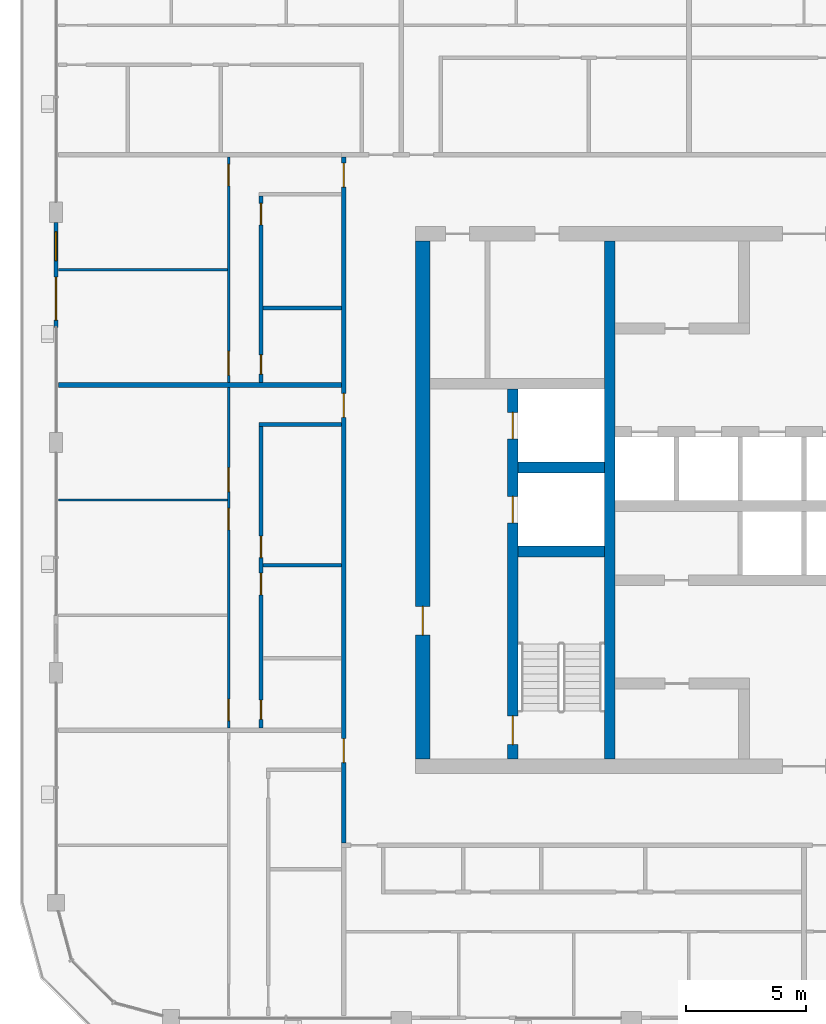
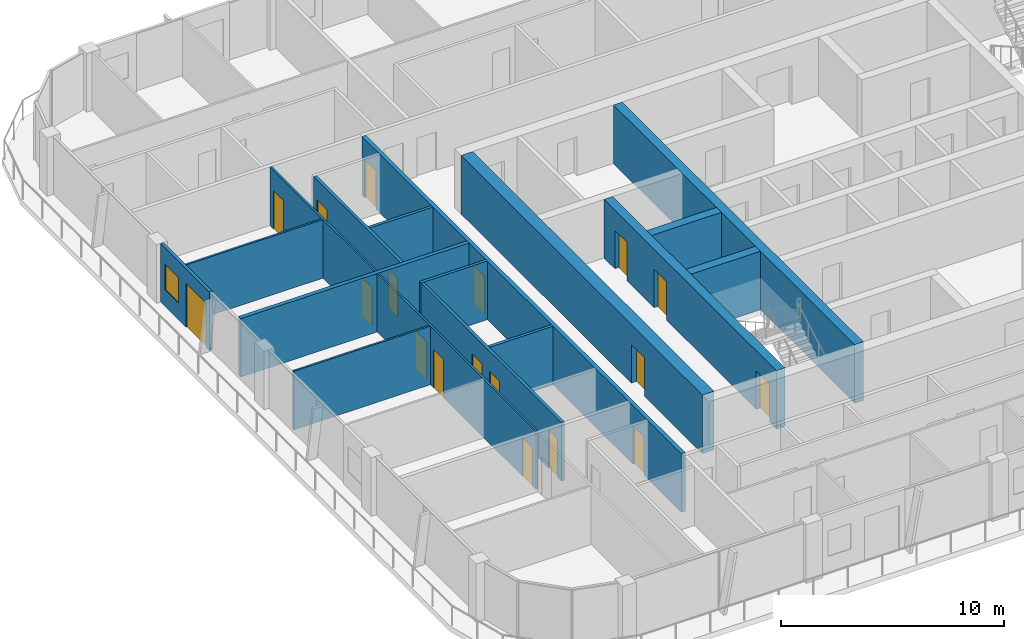
# One storey, part 10 of 21: 18 doors, 17 walls, 1 window, 19 openings.
"""IFC4 building model written with IfcOpenShell, lengths in metres."""

from ifc_helpers import new_model, si_unit, direction, frame, frame_2d, origin, place, context, subcontext, project, spatial, rectangle, extrude, material, layer, layer_set, type_object, element, fill, save


model = new_model("IFC4")

# Units and contexts
model_context = context("Model", 3, precision=1e-05, world=origin(), true_north=direction((0.0, 1.0)))
body_context = subcontext(model_context, "Body", "Model", "MODEL_VIEW")
ifc_project = project(units=[si_unit("LENGTHUNIT", "METRE"), si_unit("AREAUNIT", "SQUARE_METRE"), si_unit("VOLUMEUNIT", "CUBIC_METRE"), si_unit("PLANEANGLEUNIT", "RADIAN"), si_unit("MASSUNIT", "GRAM", prefix="KILO")], contexts=[model_context])

# Site, building, storey
site_placement = place(None, origin())
site = spatial("IfcSite", under=ifc_project, at=site_placement, CompositionType="ELEMENT")
building_placement = place(site_placement, origin())
building = spatial("IfcBuilding", under=site, at=building_placement, Name="Madar Terraces", CompositionType="ELEMENT")
storey_placement = place(building_placement, frame((0.0, 0.0, 242.199951171875)))
storey = spatial("IfcBuildingStorey", under=building, at=storey_placement, Name="L63", CompositionType="ELEMENT", Elevation=242.199951171875)

# Wall, openings, doors
ifc_material_1 = material(Name="Concrete C55/67", Category="concrete")
ifc_layer_1 = layer(ifc_material_1, 0.449951171875)
ifc_layer_set_1 = layer_set([ifc_layer_1], Name="Concrete C55/67 (CIW5 RC wall 450)")
wall_type_1 = type_object("IfcWallType", Name="CIW5 RC wall 450", PredefinedType="SHEAR", material=ifc_layer_set_1)
wall_1_placement = place(storey_placement, frame((19.050048828125, 15.60009765625, 0.0), z_axis=(0.0, 0.0, 1.0), x_axis=(0.0, 1.0, 0.0)))
wall_1 = element("IfcWall", 1, at=wall_1_placement, inside=storey, type_object=wall_type_1, Name="CORE SHAFT WALL", PredefinedType="SHEAR", context=body_context, shape_type="SweptSolid", body=[
    extrude(rectangle(XDim=15.4248046875, YDim=0.449951171875, at=frame_2d((7.71240234375, 0.0))), origin(), (0.0, 0.0, 1.0), 3.199951171875),
])
opening_1_placement = place(wall_1_placement, frame((9.85009765625, 0.0, 0.0)))
opening_1 = element("IfcOpeningElement", 2, at=opening_1_placement, cuts=wall_1, Name="Opening LD", PredefinedType="OPENING", context=body_context, shape_type="SweptSolid", body=[
    extrude(rectangle(XDim=1.10009765625, YDim=2.10009765625, at=frame_2d((0.550048828125, 1.050048828125))), frame((0.0, 0.23486328125, 0.0), z_axis=(0.0, -1.0, 0.0), x_axis=(1.0, 0.0, 0.0)), (0.0, 0.0, 1.0), 0.469970703125),
])
opening_2_placement = place(wall_1_placement, frame((13.35009765625, 0.0, 0.0)))
opening_2 = element("IfcOpeningElement", 3, at=opening_2_placement, cuts=wall_1, Name="Opening LD", PredefinedType="OPENING", context=body_context, shape_type="SweptSolid", body=[
    extrude(rectangle(XDim=1.10009765625, YDim=2.10009765625, at=frame_2d((0.550048828125, 1.050048828125))), frame((0.0, 0.23486328125, 0.0), z_axis=(0.0, -1.0, 0.0), x_axis=(1.0, 0.0, 0.0)), (0.0, 0.0, 1.0), 0.469970703125),
])
opening_3_placement = place(wall_1_placement, frame((0.60009765625, 0.0, 0.0)))
opening_3 = element("IfcOpeningElement", 4, at=opening_3_placement, cuts=wall_1, Name="Opening SD1", PredefinedType="OPENING", context=body_context, shape_type="SweptSolid", body=[
    extrude(rectangle(XDim=1.199951171875, YDim=2.10009765625, at=frame_2d((0.60009765625, 1.050048828125))), frame((0.0, 0.23486328125, 0.0), z_axis=(0.0, -1.0, 0.0), x_axis=(1.0, 0.0, 0.0)), (0.0, 0.0, 1.0), 0.469970703125),
])
ifc_material_2 = material(Name="Stainless steel panel", Category="steel")
door_type_1 = type_object("IfcDoorType", Name="Lift landing door 1100 x 2100", OperationType="DOUBLE_DOOR_SLIDING", PredefinedType="DOOR", material=ifc_material_2)
door_1_placement = place(opening_1_placement, origin())
door_1 = element("IfcDoor", 5, at=door_1_placement, inside=storey, type_object=door_type_1, Name="LIFT LANDING DOOR", OperationType="DOUBLE_DOOR_SLIDING", OverallHeight=2.10009765625, OverallWidth=1.10009765625, PredefinedType="DOOR", context=body_context, shape_type="SweptSolid", body=[
    extrude(rectangle(XDim=1.10009765625, YDim=2.10009765625, at=frame_2d((0.550048828125, 1.050048828125))), frame((0.0, 0.02490234375, 0.0), z_axis=(0.0, -1.0, 0.0), x_axis=(1.0, 0.0, 0.0)), (0.0, 0.0, 1.0), 0.050048828125),
])
fill(opening_1, door_1)
door_2_placement = place(opening_2_placement, origin())
door_2 = element("IfcDoor", 6, at=door_2_placement, inside=storey, type_object=door_type_1, Name="LIFT LANDING DOOR", OperationType="DOUBLE_DOOR_SLIDING", OverallHeight=2.10009765625, OverallWidth=1.10009765625, PredefinedType="DOOR", context=body_context, shape_type="SweptSolid", body=[
    extrude(rectangle(XDim=1.10009765625, YDim=2.10009765625, at=frame_2d((0.550048828125, 1.050048828125))), frame((0.0, 0.02490234375, 0.0), z_axis=(0.0, -1.0, 0.0), x_axis=(1.0, 0.0, 0.0)), (0.0, 0.0, 1.0), 0.050048828125),
])
fill(opening_2, door_2)
ifc_material_3 = material(Name="Steel door leaf", Category="steel")
door_type_2 = type_object("IfcDoorType", Name="Stair door 1200 x 2100", OperationType="NOTDEFINED", PredefinedType="DOOR", material=ifc_material_3)
door_3_placement = place(opening_3_placement, frame((1.199951171875, 0.0, 0.0), z_axis=(0.0, 0.0, 1.0), x_axis=(-1.0, 0.0, 0.0)))
door_3 = element("IfcDoor", 7, at=door_3_placement, inside=storey, type_object=door_type_2, Name="STAIR DOOR", OperationType="SINGLE_SWING_LEFT", OverallHeight=2.10009765625, OverallWidth=1.199951171875, PredefinedType="DOOR", context=body_context, shape_type="SweptSolid", body=[
    extrude(rectangle(XDim=1.199951171875, YDim=2.10009765625, at=frame_2d((0.60009765625, 1.050048828125))), frame((0.0, 0.02490234375, 0.0), z_axis=(0.0, -1.0, 0.0), x_axis=(1.0, 0.0, 0.0)), (0.0, 0.0, 1.0), 0.050048828125),
])
fill(opening_3, door_3)

# Walls
wall_2_placement = place(storey_placement, frame((23.10009765625, 15.60009765625, 0.0), z_axis=(0.0, 0.0, 1.0), x_axis=(0.0, 1.0, 0.0)))
element("IfcWall", 8, at=wall_2_placement, inside=storey, type_object=wall_type_1, Name="CORE SHAFT WALL", PredefinedType="SHEAR", context=body_context, shape_type="SweptSolid", body=[
    extrude(rectangle(XDim=21.599853515625, YDim=0.449951171875, at=frame_2d((10.7998046875, 0.0))), origin(), (0.0, 0.0, 1.0), 3.199951171875),
])
for number, where, z_axis, x_axis, name in (
    (9, (19.27490234375, 24.25, 0.0), (0.0, 0.0, 1.0), (1.0, 0.0, 0.0), "CORE SHAFT WALL"),
    (10, (19.27490234375, 27.75, 0.0), (0.0, 0.0, 1.0), (1.0, 0.0, 0.0), "CORE SHAFT WALL"),
):
    element("IfcWall", number, at=place(storey_placement, frame(where, z_axis=z_axis, x_axis=x_axis)), inside=storey, type_object=wall_type_1, Name=name, PredefinedType="SHEAR", context=body_context, shape_type="SweptSolid", body=[
        extrude(rectangle(XDim=3.60009765625, YDim=0.449951171875, at=frame_2d((1.800048828125, 0.0))), origin(), (0.0, 0.0, 1.0), 3.199951171875),
    ])

# Wall, opening, door
ifc_material_4 = material(Name="Concrete C55/67", Category="concrete")
ifc_layer_2 = layer(ifc_material_4, 0.60009765625)
ifc_layer_set_2 = layer_set([ifc_layer_2], Name="Concrete C55/67 (CRW5 RC wall 600)")
wall_type_2 = type_object("IfcWallType", Name="CRW5 RC wall 600", PredefinedType="SHEAR", material=ifc_layer_set_2)
wall_3_placement = place(storey_placement, frame((15.300048828125, 15.60009765625, 0.0), z_axis=(0.0, 0.0, 1.0), x_axis=(0.0, 1.0, 0.0)))
wall_3 = element("IfcWall", 11, at=wall_3_placement, inside=storey, type_object=wall_type_2, Name="CORE OUTER WALL", PredefinedType="SHEAR", context=body_context, shape_type="SweptSolid", body=[
    extrude(rectangle(XDim=21.599853515625, YDim=0.60009765625, at=frame_2d((10.7998046875, 0.0))), origin(), (0.0, 0.0, 1.0), 3.199951171875),
])
opening_4_placement = place(wall_3_placement, frame((5.159912109375, 0.0, 0.0)))
opening_4 = element("IfcOpeningElement", 12, at=opening_4_placement, cuts=wall_3, Name="Opening SD1", PredefinedType="OPENING", context=body_context, shape_type="SweptSolid", body=[
    extrude(rectangle(XDim=1.199951171875, YDim=2.10009765625, at=frame_2d((0.60009765625, 1.050048828125))), frame((0.0, 0.31005859375, 0.0), z_axis=(0.0, -1.0, 0.0), x_axis=(1.0, 0.0, 0.0)), (0.0, 0.0, 1.0), 0.6201171875),
])
door_4_placement = place(opening_4_placement, frame((1.199951171875, 0.0, 0.0), z_axis=(0.0, 0.0, 1.0), x_axis=(-1.0, 0.0, 0.0)))
door_4 = element("IfcDoor", 13, at=door_4_placement, inside=storey, type_object=door_type_2, Name="STAIR DOOR", OperationType="SINGLE_SWING_RIGHT", OverallHeight=2.10009765625, OverallWidth=1.199951171875, PredefinedType="DOOR", context=body_context, shape_type="SweptSolid", body=[
    extrude(rectangle(XDim=1.199951171875, YDim=2.10009765625, at=frame_2d((0.60009765625, 1.050048828125))), frame((0.0, 0.02490234375, 0.0), z_axis=(0.0, -1.0, 0.0), x_axis=(1.0, 0.0, 0.0)), (0.0, 0.0, 1.0), 0.050048828125),
])
fill(opening_4, door_4)

# Wall, openings, door, window
ifc_material_5 = material(Name="Aluminium composite panel, black, over insulated backing", Category="aluminium")
ifc_layer_3 = layer(ifc_material_5, 0.14990234375)
ifc_layer_set_3 = layer_set([ifc_layer_3], Name="Facade bay panel 150")
wall_type_3 = type_object("IfcWallType", Name="Facade bay panel 150", PredefinedType="SOLIDWALL", material=ifc_layer_set_3)
wall_4_placement = place(storey_placement, frame((0.0, 37.97509765625, 0.0), z_axis=(0.0, 0.0, 1.0), x_axis=(0.0, -1.0, 0.0)))
wall_4 = element("IfcWall", 14, at=wall_4_placement, inside=storey, type_object=wall_type_3, Name="Facade bay panel", PredefinedType="SOLIDWALL", context=body_context, shape_type="SweptSolid", body=[
    extrude(rectangle(XDim=4.375, YDim=0.14990234375, at=frame_2d((2.1875, 0.0))), origin(), (0.0, 0.0, 1.0), 3.199951171875),
])
opening_5_placement = place(wall_4_placement, frame((0.387451171875, 0.0, 0.89990234375)))
opening_5 = element("IfcOpeningElement", 15, at=opening_5_placement, cuts=wall_4, Name="Opening W1", PredefinedType="OPENING", context=body_context, shape_type="SweptSolid", body=[
    extrude(rectangle(XDim=1.199951171875, YDim=1.39990234375, at=frame_2d((0.60009765625, 0.699951171875))), frame((0.0, 0.0849609375, 0.0), z_axis=(0.0, -1.0, 0.0), x_axis=(1.0, 0.0, 0.0)), (0.0, 0.0, 1.0), 0.169921875),
])
opening_6_placement = place(wall_4_placement, frame((2.27490234375, 0.0, 0.0)))
opening_6 = element("IfcOpeningElement", 16, at=opening_6_placement, cuts=wall_4, Name="Opening ED1", PredefinedType="OPENING", context=body_context, shape_type="SweptSolid", body=[
    extrude(rectangle(XDim=1.800048828125, YDim=2.39990234375, at=frame_2d((0.89990234375, 1.199951171875))), frame((0.0, 0.0849609375, 0.0), z_axis=(0.0, -1.0, 0.0), x_axis=(1.0, 0.0, 0.0)), (0.0, 0.0, 1.0), 0.169921875),
])
ifc_material_6 = material(Name="Glass, clear, with black aluminium frame", Category="aluminium")
door_type_3 = type_object("IfcDoorType", Name="Balcony and terrace sliding door 1800 x 2400", OperationType="SLIDING_TO_LEFT", PredefinedType="DOOR", material=ifc_material_6)
door_5_placement = place(opening_6_placement, origin())
door_5 = element("IfcDoor", 17, at=door_5_placement, inside=storey, type_object=door_type_3, Name="Balcony door", OperationType="SLIDING_TO_LEFT", OverallHeight=2.39990234375, OverallWidth=1.800048828125, PredefinedType="DOOR", context=body_context, shape_type="SweptSolid", body=[
    extrude(rectangle(XDim=1.800048828125, YDim=2.39990234375, at=frame_2d((0.89990234375, 1.199951171875))), frame((0.0, 0.02490234375, 0.0), z_axis=(0.0, -1.0, 0.0), x_axis=(1.0, 0.0, 0.0)), (0.0, 0.0, 1.0), 0.050048828125),
])
fill(opening_6, door_5)
ifc_material_7 = material(Name="Glass, clear, with black aluminium frame", Category="aluminium")
window_type = type_object("IfcWindowType", Name="Vent window 1200 x 1400", PartitioningType="SINGLE_PANEL", PredefinedType="WINDOW", material=ifc_material_7)
window_placement = place(opening_5_placement, origin())
window = element("IfcWindow", 18, at=window_placement, inside=storey, type_object=window_type, Name="Operable vent window", OverallHeight=1.39990234375, OverallWidth=1.199951171875, PartitioningType="SINGLE_PANEL", PredefinedType="WINDOW", context=body_context, shape_type="SweptSolid", body=[
    extrude(rectangle(XDim=1.199951171875, YDim=1.39990234375, at=frame_2d((0.60009765625, 0.699951171875))), frame((0.0, 0.030029296875, 0.0), z_axis=(0.0, -1.0, 0.0), x_axis=(1.0, 0.0, 0.0)), (0.0, 0.0, 1.0), 0.06005859375),
])
fill(opening_5, window)

# Wall
ifc_material_8 = material(Name="Gypsum board on steel studs", Category="steel")
ifc_layer_4 = layer(ifc_material_8, 0.10009765625)
ifc_layer_set_4 = layer_set([ifc_layer_4], Name="Flat partition 100")
wall_type_4 = type_object("IfcWallType", Name="Flat partition 100", PredefinedType="PARTITIONING", material=ifc_layer_set_4)
wall_5_placement = place(storey_placement, frame((7.14990234375, 36.0, 0.0), z_axis=(0.0, 0.0, 1.0), x_axis=(-1.0, 0.0, 0.0)))
element("IfcWall", 19, at=wall_5_placement, inside=storey, type_object=wall_type_4, Name="Flat partition 100", PredefinedType="PARTITIONING", context=body_context, shape_type="SweptSolid", body=[
    extrude(rectangle(XDim=7.0498046875, YDim=0.10009765625, at=frame_2d((3.52490234375, 0.0))), origin(), (0.0, 0.0, 1.0), 3.199951171875),
])

# Wall, openings, doors
wall_6_placement = place(storey_placement, frame((7.199951171875, 31.300048828125, 0.0), z_axis=(0.0, 0.0, 1.0), x_axis=(0.0, 1.0, 0.0)))
wall_6 = element("IfcWall", 20, at=wall_6_placement, inside=storey, type_object=wall_type_4, Name="Flat partition 100", PredefinedType="PARTITIONING", context=body_context, shape_type="SweptSolid", body=[
    extrude(rectangle(XDim=9.39990234375, YDim=0.10009765625, at=frame_2d((4.699951171875, 0.0))), origin(), (0.0, 0.0, 1.0), 3.199951171875),
])
opening_7_placement = place(wall_6_placement, frame((8.199951171875, 0.0, 0.0)))
opening_7 = element("IfcOpeningElement", 21, at=opening_7_placement, cuts=wall_6, Name="Opening D2", PredefinedType="OPENING", context=body_context, shape_type="SweptSolid", body=[
    extrude(rectangle(XDim=0.89990234375, YDim=2.10009765625, at=frame_2d((0.449951171875, 1.050048828125))), frame((0.0, 0.06005859375, 0.0), z_axis=(0.0, -1.0, 0.0), x_axis=(1.0, 0.0, 0.0)), (0.0, 0.0, 1.0), 0.1201171875),
])
opening_8_placement = place(wall_6_placement, frame((0.300048828125, 0.0, 0.0)))
opening_8 = element("IfcOpeningElement", 22, at=opening_8_placement, cuts=wall_6, Name="Opening D3", PredefinedType="OPENING", context=body_context, shape_type="SweptSolid", body=[
    extrude(rectangle(XDim=1.0, YDim=2.10009765625, at=frame_2d((0.5, 1.050048828125))), frame((0.0, 0.06005859375, 0.0), z_axis=(0.0, -1.0, 0.0), x_axis=(1.0, 0.0, 0.0)), (0.0, 0.0, 1.0), 0.1201171875),
])
ifc_material_9 = material(Name="Timber door leaf", Category="wood")
door_type_4 = type_object("IfcDoorType", Name="Flat living room door 1000", OperationType="NOTDEFINED", PredefinedType="DOOR", material=ifc_material_9)
door_6_placement = place(opening_8_placement, origin())
door_6 = element("IfcDoor", 23, at=door_6_placement, inside=storey, type_object=door_type_4, Name="Flat living room door 1000", OperationType="SINGLE_SWING_LEFT", OverallHeight=2.10009765625, OverallWidth=1.0, PredefinedType="DOOR", context=body_context, shape_type="SweptSolid", body=[
    extrude(rectangle(XDim=1.0, YDim=2.10009765625, at=frame_2d((0.5, 1.050048828125))), frame((0.0, 0.02490234375, 0.0), z_axis=(0.0, -1.0, 0.0), x_axis=(1.0, 0.0, 0.0)), (0.0, 0.0, 1.0), 0.050048828125),
])
fill(opening_8, door_6)
ifc_material_10 = material(Name="Timber door leaf", Category="wood")
door_type_5 = type_object("IfcDoorType", Name="Flat room door 900", OperationType="NOTDEFINED", PredefinedType="DOOR", material=ifc_material_10)
door_7_placement = place(opening_7_placement, origin())
door_7 = element("IfcDoor", 24, at=door_7_placement, inside=storey, type_object=door_type_5, Name="Flat room door 900", OperationType="SINGLE_SWING_RIGHT", OverallHeight=2.10009765625, OverallWidth=0.89990234375, PredefinedType="DOOR", context=body_context, shape_type="SweptSolid", body=[
    extrude(rectangle(XDim=0.89990234375, YDim=2.10009765625, at=frame_2d((0.449951171875, 1.050048828125))), frame((0.0, 0.02490234375, 0.0), z_axis=(0.0, -1.0, 0.0), x_axis=(1.0, 0.0, 0.0)), (0.0, 0.0, 1.0), 0.050048828125),
])
fill(opening_7, door_7)

# Wall
wall_7_placement = place(storey_placement, frame((7.14990234375, 26.39990234375, 0.0), z_axis=(0.0, 0.0, 1.0), x_axis=(-1.0, 0.0, 0.0)))
element("IfcWall", 25, at=wall_7_placement, inside=storey, type_object=wall_type_4, Name="Flat partition 100", PredefinedType="PARTITIONING", context=body_context, shape_type="SweptSolid", body=[
    extrude(rectangle(XDim=7.0498046875, YDim=0.10009765625, at=frame_2d((3.52490234375, 0.0))), origin(), (0.0, 0.0, 1.0), 3.199951171875),
])

# Wall, openings, doors
wall_8_placement = place(storey_placement, frame((7.199951171875, 16.89990234375, 0.0), z_axis=(0.0, 0.0, 1.0), x_axis=(0.0, 1.0, 0.0)))
wall_8 = element("IfcWall", 26, at=wall_8_placement, inside=storey, type_object=wall_type_4, Name="Flat partition 100", PredefinedType="PARTITIONING", context=body_context, shape_type="SweptSolid", body=[
    extrude(rectangle(XDim=14.2001953125, YDim=0.10009765625, at=frame_2d((7.10009765625, 0.0))), origin(), (0.0, 0.0, 1.0), 3.199951171875),
])
opening_9_placement = place(wall_8_placement, frame((9.85009765625, 0.0, 0.0)))
opening_9 = element("IfcOpeningElement", 27, at=opening_9_placement, cuts=wall_8, Name="Opening D3", PredefinedType="OPENING", context=body_context, shape_type="SweptSolid", body=[
    extrude(rectangle(XDim=1.0, YDim=2.10009765625, at=frame_2d((0.5, 1.050048828125))), frame((0.0, 0.06005859375, 0.0), z_axis=(0.0, -1.0, 0.0), x_axis=(1.0, 0.0, 0.0)), (0.0, 0.0, 1.0), 0.1201171875),
])
opening_10_placement = place(wall_8_placement, frame((8.25, 0.0, 0.0)))
opening_10 = element("IfcOpeningElement", 28, at=opening_10_placement, cuts=wall_8, Name="Opening D2", PredefinedType="OPENING", context=body_context, shape_type="SweptSolid", body=[
    extrude(rectangle(XDim=0.89990234375, YDim=2.10009765625, at=frame_2d((0.449951171875, 1.050048828125))), frame((0.0, 0.06005859375, 0.0), z_axis=(0.0, -1.0, 0.0), x_axis=(1.0, 0.0, 0.0)), (0.0, 0.0, 1.0), 0.1201171875),
])
opening_11_placement = place(wall_8_placement, frame((0.300048828125, 0.0, 0.0)))
opening_11 = element("IfcOpeningElement", 29, at=opening_11_placement, cuts=wall_8, Name="Opening D2", PredefinedType="OPENING", context=body_context, shape_type="SweptSolid", body=[
    extrude(rectangle(XDim=0.89990234375, YDim=2.10009765625, at=frame_2d((0.449951171875, 1.050048828125))), frame((0.0, 0.06005859375, 0.0), z_axis=(0.0, -1.0, 0.0), x_axis=(1.0, 0.0, 0.0)), (0.0, 0.0, 1.0), 0.1201171875),
])
door_8_placement = place(opening_9_placement, origin())
door_8 = element("IfcDoor", 30, at=door_8_placement, inside=storey, type_object=door_type_4, Name="Flat living room door 1000", OperationType="SINGLE_SWING_LEFT", OverallHeight=2.10009765625, OverallWidth=1.0, PredefinedType="DOOR", context=body_context, shape_type="SweptSolid", body=[
    extrude(rectangle(XDim=1.0, YDim=2.10009765625, at=frame_2d((0.5, 1.050048828125))), frame((0.0, 0.02490234375, 0.0), z_axis=(0.0, -1.0, 0.0), x_axis=(1.0, 0.0, 0.0)), (0.0, 0.0, 1.0), 0.050048828125),
])
fill(opening_9, door_8)
door_9_placement = place(opening_10_placement, origin())
door_9 = element("IfcDoor", 31, at=door_9_placement, inside=storey, type_object=door_type_5, Name="Flat room door 900", OperationType="SINGLE_SWING_RIGHT", OverallHeight=2.10009765625, OverallWidth=0.89990234375, PredefinedType="DOOR", context=body_context, shape_type="SweptSolid", body=[
    extrude(rectangle(XDim=0.89990234375, YDim=2.10009765625, at=frame_2d((0.449951171875, 1.050048828125))), frame((0.0, 0.02490234375, 0.0), z_axis=(0.0, -1.0, 0.0), x_axis=(1.0, 0.0, 0.0)), (0.0, 0.0, 1.0), 0.050048828125),
])
fill(opening_10, door_9)
door_10_placement = place(opening_11_placement, origin())
door_10 = element("IfcDoor", 32, at=door_10_placement, inside=storey, type_object=door_type_5, Name="Flat room door 900", OperationType="SINGLE_SWING_LEFT", OverallHeight=2.10009765625, OverallWidth=0.89990234375, PredefinedType="DOOR", context=body_context, shape_type="SweptSolid", body=[
    extrude(rectangle(XDim=0.89990234375, YDim=2.10009765625, at=frame_2d((0.449951171875, 1.050048828125))), frame((0.0, 0.02490234375, 0.0), z_axis=(0.0, -1.0, 0.0), x_axis=(1.0, 0.0, 0.0)), (0.0, 0.0, 1.0), 0.050048828125),
])
fill(opening_11, door_10)

ifc_material_11 = material(Name="Lightweight blockwork", Category="masonry")
ifc_layer_5 = layer(ifc_material_11, 0.199951171875)
ifc_layer_set_5 = layer_set([ifc_layer_5], Name="Flat party and entrance wall 200")
wall_type_5 = type_object("IfcWallType", Name="Flat party and entrance wall 200", PredefinedType="PARTITIONING", material=ifc_layer_set_5)
wall_9_placement = place(storey_placement, frame((12.0, 12.10009765625, 0.0), z_axis=(0.0, 0.0, 1.0), x_axis=(0.0, 1.0, 0.0)))
wall_9 = element("IfcWall", 33, at=wall_9_placement, inside=storey, type_object=wall_type_5, Name="Flat party and entrance wall 200", PredefinedType="PARTITIONING", context=body_context, shape_type="SweptSolid", body=[
    extrude(rectangle(XDim=28.599853515625, YDim=0.199951171875, at=frame_2d((14.2998046875, 0.0))), origin(), (0.0, 0.0, 1.0), 3.199951171875),
])
opening_12_placement = place(wall_9_placement, frame((27.35009765625, 0.0, 0.0)))
opening_12 = element("IfcOpeningElement", 34, at=opening_12_placement, cuts=wall_9, Name="Opening D1", PredefinedType="OPENING", context=body_context, shape_type="SweptSolid", body=[
    extrude(rectangle(XDim=1.0, YDim=2.10009765625, at=frame_2d((0.5, 1.050048828125))), frame((0.0, 0.10986328125, 0.0), z_axis=(0.0, -1.0, 0.0), x_axis=(1.0, 0.0, 0.0)), (0.0, 0.0, 1.0), 0.219970703125),
])
opening_13_placement = place(wall_9_placement, frame((17.75, 0.0, 0.0)))
opening_13 = element("IfcOpeningElement", 35, at=opening_13_placement, cuts=wall_9, Name="Opening D1", PredefinedType="OPENING", context=body_context, shape_type="SweptSolid", body=[
    extrude(rectangle(XDim=1.0, YDim=2.10009765625, at=frame_2d((0.5, 1.050048828125))), frame((0.0, 0.10986328125, 0.0), z_axis=(0.0, -1.0, 0.0), x_axis=(1.0, 0.0, 0.0)), (0.0, 0.0, 1.0), 0.219970703125),
])
opening_14_placement = place(wall_9_placement, frame((3.35009765625, 0.0, 0.0)))
opening_14 = element("IfcOpeningElement", 36, at=opening_14_placement, cuts=wall_9, Name="Opening D1", PredefinedType="OPENING", context=body_context, shape_type="SweptSolid", body=[
    extrude(rectangle(XDim=1.0, YDim=2.10009765625, at=frame_2d((0.5, 1.050048828125))), frame((0.0, 0.10986328125, 0.0), z_axis=(0.0, -1.0, 0.0), x_axis=(1.0, 0.0, 0.0)), (0.0, 0.0, 1.0), 0.219970703125),
])
ifc_material_12 = material(Name="Timber fire door leaf", Category="wood")
door_type_6 = type_object("IfcDoorType", Name="Flat entrance door 1000 FD30S", OperationType="NOTDEFINED", PredefinedType="DOOR", material=ifc_material_12)
door_11_placement = place(opening_12_placement, origin())
door_11 = element("IfcDoor", 37, at=door_11_placement, inside=storey, type_object=door_type_6, Name="Flat entrance door 1000 FD30S", OperationType="SINGLE_SWING_RIGHT", OverallHeight=2.10009765625, OverallWidth=1.0, PredefinedType="DOOR", context=body_context, shape_type="SweptSolid", body=[
    extrude(rectangle(XDim=1.0, YDim=2.10009765625, at=frame_2d((0.5, 1.050048828125))), frame((0.0, 0.02490234375, 0.0), z_axis=(0.0, -1.0, 0.0), x_axis=(1.0, 0.0, 0.0)), (0.0, 0.0, 1.0), 0.050048828125),
])
fill(opening_12, door_11)
door_12_placement = place(opening_13_placement, origin())
door_12 = element("IfcDoor", 38, at=door_12_placement, inside=storey, type_object=door_type_6, Name="Flat entrance door 1000 FD30S", OperationType="SINGLE_SWING_RIGHT", OverallHeight=2.10009765625, OverallWidth=1.0, PredefinedType="DOOR", context=body_context, shape_type="SweptSolid", body=[
    extrude(rectangle(XDim=1.0, YDim=2.10009765625, at=frame_2d((0.5, 1.050048828125))), frame((0.0, 0.02490234375, 0.0), z_axis=(0.0, -1.0, 0.0), x_axis=(1.0, 0.0, 0.0)), (0.0, 0.0, 1.0), 0.050048828125),
])
fill(opening_13, door_12)
door_13_placement = place(opening_14_placement, origin())
door_13 = element("IfcDoor", 39, at=door_13_placement, inside=storey, type_object=door_type_6, Name="Flat entrance door 1000 FD30S", OperationType="SINGLE_SWING_RIGHT", OverallHeight=2.10009765625, OverallWidth=1.0, PredefinedType="DOOR", context=body_context, shape_type="SweptSolid", body=[
    extrude(rectangle(XDim=1.0, YDim=2.10009765625, at=frame_2d((0.5, 1.050048828125))), frame((0.0, 0.02490234375, 0.0), z_axis=(0.0, -1.0, 0.0), x_axis=(1.0, 0.0, 0.0)), (0.0, 0.0, 1.0), 0.050048828125),
])
fill(opening_14, door_13)

# Walls
wall_10_placement = place(storey_placement, frame((0.10009765625, 31.199951171875, 0.0), z_axis=(0.0, 0.0, 1.0), x_axis=(1.0, 0.0, 0.0)))
element("IfcWall", 40, at=wall_10_placement, inside=storey, type_object=wall_type_5, Name="Flat party and entrance wall 200", PredefinedType="PARTITIONING", context=body_context, shape_type="SweptSolid", body=[
    extrude(rectangle(XDim=11.7998046875, YDim=0.199951171875, at=frame_2d((5.89990234375, 0.0))), origin(), (0.0, 0.0, 1.0), 3.199951171875),
])
ifc_material_13 = material(Name="Lightweight blockwork", Category="masonry")
ifc_layer_6 = layer(ifc_material_13, 0.14990234375)
ifc_layer_set_6 = layer_set([ifc_layer_6], Name="Flat wet-room partition 150")
wall_type_6 = type_object("IfcWallType", Name="Flat wet-room partition 150", PredefinedType="PARTITIONING", material=ifc_layer_set_6)
wall_11_placement = place(storey_placement, frame((11.89990234375, 34.409912109375, 0.0), z_axis=(0.0, 0.0, 1.0), x_axis=(-1.0, 0.0, 0.0)))
element("IfcWall", 41, at=wall_11_placement, inside=storey, type_object=wall_type_6, Name="Flat wet-room partition 150", PredefinedType="PARTITIONING", context=body_context, shape_type="SweptSolid", body=[
    extrude(rectangle(XDim=3.27490234375, YDim=0.14990234375, at=frame_2d((1.637451171875, 0.0))), origin(), (0.0, 0.0, 1.0), 3.199951171875),
])

# Wall, openings, doors
wall_12_placement = place(storey_placement, frame((8.550048828125, 39.074951171875, 0.0), z_axis=(0.0, 0.0, 1.0), x_axis=(0.0, -1.0, 0.0)))
wall_12 = element("IfcWall", 42, at=wall_12_placement, inside=storey, type_object=wall_type_6, Name="Flat wet-room partition 150", PredefinedType="PARTITIONING", context=body_context, shape_type="SweptSolid", body=[
    extrude(rectangle(XDim=7.77490234375, YDim=0.14990234375, at=frame_2d((3.887451171875, 0.0))), origin(), (0.0, 0.0, 1.0), 3.199951171875),
])
opening_15_placement = place(wall_12_placement, frame((0.300048828125, 0.0, 0.0)))
opening_15 = element("IfcOpeningElement", 43, at=opening_15_placement, cuts=wall_12, Name="Opening D2", PredefinedType="OPENING", context=body_context, shape_type="SweptSolid", body=[
    extrude(rectangle(XDim=0.89990234375, YDim=2.10009765625, at=frame_2d((0.449951171875, 1.050048828125))), frame((0.0, 0.0849609375, 0.0), z_axis=(0.0, -1.0, 0.0), x_axis=(1.0, 0.0, 0.0)), (0.0, 0.0, 1.0), 0.169921875),
])
opening_16_placement = place(wall_12_placement, frame((6.625, 0.0, 0.0)))
opening_16 = element("IfcOpeningElement", 44, at=opening_16_placement, cuts=wall_12, Name="Opening D4", PredefinedType="OPENING", context=body_context, shape_type="SweptSolid", body=[
    extrude(rectangle(XDim=0.800048828125, YDim=2.10009765625, at=frame_2d((0.39990234375, 1.050048828125))), frame((0.0, 0.0849609375, 0.0), z_axis=(0.0, -1.0, 0.0), x_axis=(1.0, 0.0, 0.0)), (0.0, 0.0, 1.0), 0.169921875),
])
ifc_material_14 = material(Name="Timber door leaf", Category="wood")
door_type_7 = type_object("IfcDoorType", Name="Flat bathroom door 800", OperationType="NOTDEFINED", PredefinedType="DOOR", material=ifc_material_14)
door_14_placement = place(opening_16_placement, origin())
door_14 = element("IfcDoor", 45, at=door_14_placement, inside=storey, type_object=door_type_7, Name="Flat bathroom door 800", OperationType="SINGLE_SWING_RIGHT", OverallHeight=2.10009765625, OverallWidth=0.800048828125, PredefinedType="DOOR", context=body_context, shape_type="SweptSolid", body=[
    extrude(rectangle(XDim=0.800048828125, YDim=2.10009765625, at=frame_2d((0.39990234375, 1.050048828125))), frame((0.0, 0.02490234375, 0.0), z_axis=(0.0, -1.0, 0.0), x_axis=(1.0, 0.0, 0.0)), (0.0, 0.0, 1.0), 0.050048828125),
])
fill(opening_16, door_14)
door_15_placement = place(opening_15_placement, origin())
door_15 = element("IfcDoor", 46, at=door_15_placement, inside=storey, type_object=door_type_5, Name="Flat room door 900", OperationType="SINGLE_SWING_LEFT", OverallHeight=2.10009765625, OverallWidth=0.89990234375, PredefinedType="DOOR", context=body_context, shape_type="SweptSolid", body=[
    extrude(rectangle(XDim=0.89990234375, YDim=2.10009765625, at=frame_2d((0.449951171875, 1.050048828125))), frame((0.0, 0.02490234375, 0.0), z_axis=(0.0, -1.0, 0.0), x_axis=(1.0, 0.0, 0.0)), (0.0, 0.0, 1.0), 0.050048828125),
])
fill(opening_15, door_15)

# Walls
wall_13_placement = place(storey_placement, frame((11.89990234375, 23.671142578125, 0.0), z_axis=(0.0, 0.0, 1.0), x_axis=(-1.0, 0.0, 0.0)))
element("IfcWall", 47, at=wall_13_placement, inside=storey, type_object=wall_type_6, Name="Flat wet-room partition 150", PredefinedType="PARTITIONING", context=body_context, shape_type="SweptSolid", body=[
    extrude(rectangle(XDim=3.27490234375, YDim=0.14990234375, at=frame_2d((1.637451171875, 0.0))), origin(), (0.0, 0.0, 1.0), 3.199951171875),
])
wall_14_placement = place(storey_placement, frame((11.89990234375, 29.550048828125, 0.0), z_axis=(0.0, 0.0, 1.0), x_axis=(-1.0, 0.0, 0.0)))
element("IfcWall", 48, at=wall_14_placement, inside=storey, type_object=wall_type_6, Name="Flat wet-room partition 150", PredefinedType="PARTITIONING", context=body_context, shape_type="SweptSolid", body=[
    extrude(rectangle(XDim=3.4248046875, YDim=0.14990234375, at=frame_2d((1.71240234375, 0.0))), origin(), (0.0, 0.0, 1.0), 3.199951171875),
])

# Wall, openings, doors
wall_15_placement = place(storey_placement, frame((8.550048828125, 29.47509765625, 0.0), z_axis=(0.0, 0.0, 1.0), x_axis=(0.0, -1.0, 0.0)))
wall_15 = element("IfcWall", 49, at=wall_15_placement, inside=storey, type_object=wall_type_6, Name="Flat wet-room partition 150", PredefinedType="PARTITIONING", context=body_context, shape_type="SweptSolid", body=[
    extrude(rectangle(XDim=12.5751953125, YDim=0.14990234375, at=frame_2d((6.28759765625, 0.0))), origin(), (0.0, 0.0, 1.0), 3.199951171875),
])
opening_17_placement = place(wall_15_placement, frame((4.578857421875, 0.0, 0.0)))
opening_17 = element("IfcOpeningElement", 50, at=opening_17_placement, cuts=wall_15, Name="Opening D2", PredefinedType="OPENING", context=body_context, shape_type="SweptSolid", body=[
    extrude(rectangle(XDim=0.89990234375, YDim=2.10009765625, at=frame_2d((0.449951171875, 1.050048828125))), frame((0.0, 0.0849609375, 0.0), z_axis=(0.0, -1.0, 0.0), x_axis=(1.0, 0.0, 0.0)), (0.0, 0.0, 1.0), 0.169921875),
])
opening_18_placement = place(wall_15_placement, frame((6.12890625, 0.0, 0.0)))
opening_18 = element("IfcOpeningElement", 51, at=opening_18_placement, cuts=wall_15, Name="Opening D5", PredefinedType="OPENING", context=body_context, shape_type="SweptSolid", body=[
    extrude(rectangle(XDim=0.89990234375, YDim=2.10009765625, at=frame_2d((0.449951171875, 1.050048828125))), frame((0.0, 0.0849609375, 0.0), z_axis=(0.0, -1.0, 0.0), x_axis=(1.0, 0.0, 0.0)), (0.0, 0.0, 1.0), 0.169921875),
])
opening_19_placement = place(wall_15_placement, frame((11.425048828125, 0.0, 0.0)))
opening_19 = element("IfcOpeningElement", 52, at=opening_19_placement, cuts=wall_15, Name="Opening D4", PredefinedType="OPENING", context=body_context, shape_type="SweptSolid", body=[
    extrude(rectangle(XDim=0.800048828125, YDim=2.10009765625, at=frame_2d((0.39990234375, 1.050048828125))), frame((0.0, 0.0849609375, 0.0), z_axis=(0.0, -1.0, 0.0), x_axis=(1.0, 0.0, 0.0)), (0.0, 0.0, 1.0), 0.169921875),
])
ifc_material_15 = material(Name="Timber door leaf", Category="wood")
door_type_8 = type_object("IfcDoorType", Name="Flat accessible bathroom door 900", OperationType="NOTDEFINED", PredefinedType="DOOR", material=ifc_material_15)
door_16_placement = place(opening_18_placement, origin())
door_16 = element("IfcDoor", 53, at=door_16_placement, inside=storey, type_object=door_type_8, Name="Flat accessible bathroom door 900", OperationType="SINGLE_SWING_LEFT", OverallHeight=2.10009765625, OverallWidth=0.89990234375, PredefinedType="DOOR", context=body_context, shape_type="SweptSolid", body=[
    extrude(rectangle(XDim=0.89990234375, YDim=2.10009765625, at=frame_2d((0.449951171875, 1.050048828125))), frame((0.0, 0.02490234375, 0.0), z_axis=(0.0, -1.0, 0.0), x_axis=(1.0, 0.0, 0.0)), (0.0, 0.0, 1.0), 0.050048828125),
])
fill(opening_18, door_16)
door_17_placement = place(opening_19_placement, origin())
door_17 = element("IfcDoor", 54, at=door_17_placement, inside=storey, type_object=door_type_7, Name="Flat bathroom door 800", OperationType="SINGLE_SWING_RIGHT", OverallHeight=2.10009765625, OverallWidth=0.800048828125, PredefinedType="DOOR", context=body_context, shape_type="SweptSolid", body=[
    extrude(rectangle(XDim=0.800048828125, YDim=2.10009765625, at=frame_2d((0.39990234375, 1.050048828125))), frame((0.0, 0.02490234375, 0.0), z_axis=(0.0, -1.0, 0.0), x_axis=(1.0, 0.0, 0.0)), (0.0, 0.0, 1.0), 0.050048828125),
])
fill(opening_19, door_17)
door_18_placement = place(opening_17_placement, origin())
door_18 = element("IfcDoor", 55, at=door_18_placement, inside=storey, type_object=door_type_5, Name="Flat room door 900", OperationType="SINGLE_SWING_RIGHT", OverallHeight=2.10009765625, OverallWidth=0.89990234375, PredefinedType="DOOR", context=body_context, shape_type="SweptSolid", body=[
    extrude(rectangle(XDim=0.89990234375, YDim=2.10009765625, at=frame_2d((0.449951171875, 1.050048828125))), frame((0.0, 0.02490234375, 0.0), z_axis=(0.0, -1.0, 0.0), x_axis=(1.0, 0.0, 0.0)), (0.0, 0.0, 1.0), 0.050048828125),
])
fill(opening_17, door_18)

save(model, "model.ifc")
